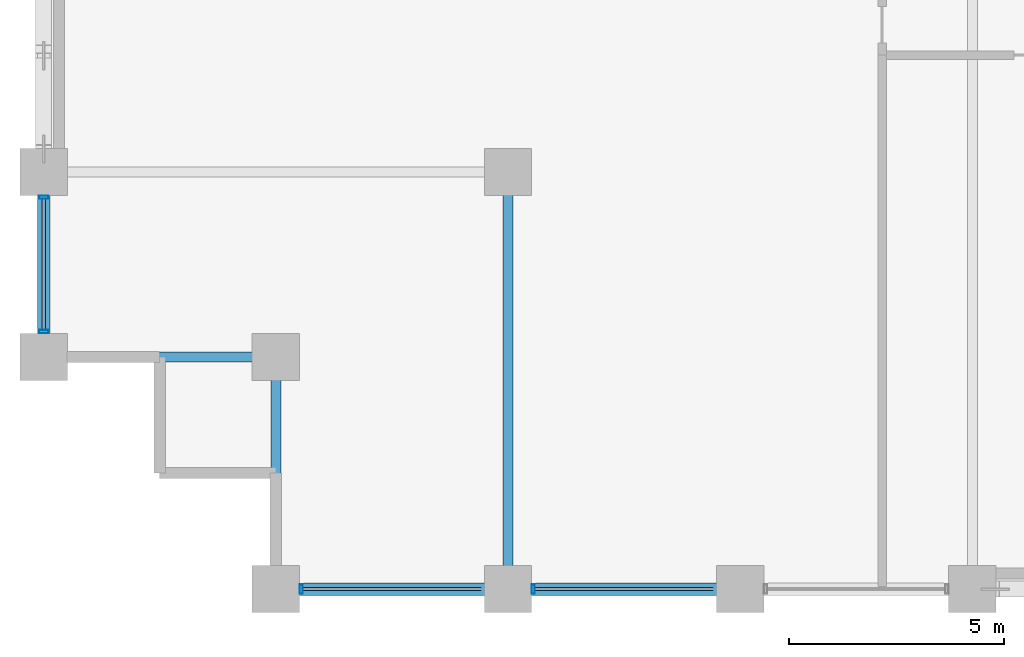
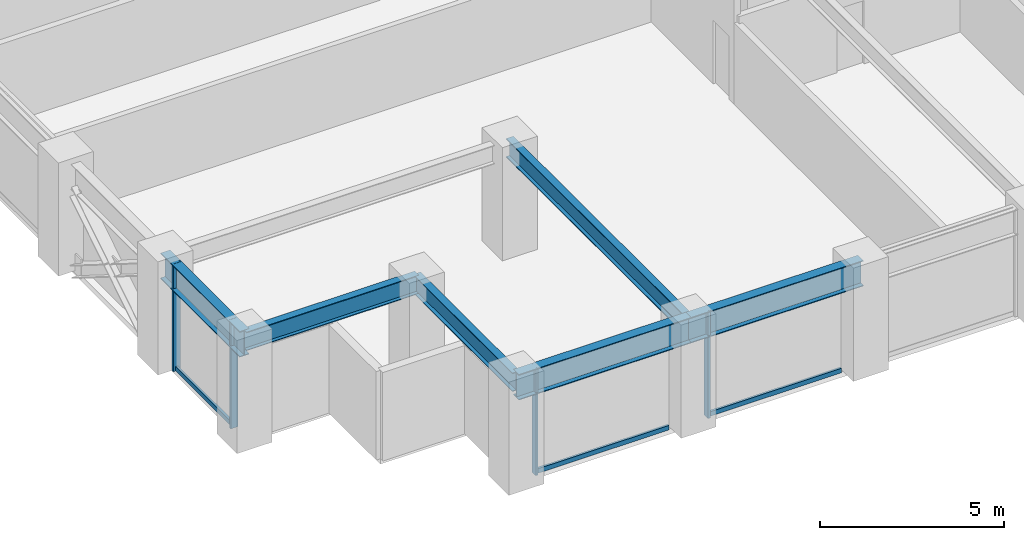
# One storey, part 2 of 25: 7 members, 6 beams, 2 elements without a shape of their own.
"""IFC4 building model written with IfcOpenShell, lengths in metres."""

from ifc_helpers import new_model, si_unit, direction, frame, origin, origin_2d, place, context, subcontext, project, spatial, hollow_rectangle, i_section, extrude, material, layer, layer_set, material_profile, profile_set, type_object, element, aggregate, save


model = new_model("IFC4")

# Units and contexts
model_context = context("Model", 3, precision=1e-05, world=origin(), true_north=direction((0.0, 1.0)))
body_context = subcontext(model_context, "Body", "Model", "MODEL_VIEW")
ifc_project = project(units=[si_unit("LENGTHUNIT", "METRE"), si_unit("AREAUNIT", "SQUARE_METRE"), si_unit("VOLUMEUNIT", "CUBIC_METRE"), si_unit("PLANEANGLEUNIT", "RADIAN"), si_unit("MASSUNIT", "GRAM", prefix="KILO")], contexts=[model_context])

# Site, building, storey
site_placement = place(None, origin())
site = spatial("IfcSite", under=ifc_project, at=site_placement, CompositionType="ELEMENT")
building_placement = place(site_placement, origin())
building = spatial("IfcBuilding", under=site, at=building_placement, Name="Surkhivell Harbour Commons", CompositionType="ELEMENT")
storey_placement = place(building_placement, frame((0.0, 0.0, 120.75)))
storey = spatial("IfcBuildingStorey", under=building, at=storey_placement, Name="L31", CompositionType="ELEMENT", Elevation=120.75)

# Beams
ifc_material_1 = material(Name="Steel S355", Category="steel")
ifc_material_profile_1 = material_profile(ifc_material_1, i_section(OverallWidth=0.22998046875, OverallDepth=0.616943359375, WebThickness=0.01318359375, FlangeThickness=0.022216796875, at=origin_2d()), Name="UB610x229x140")
ifc_profile_set_1 = profile_set([ifc_material_profile_1], Name="Steel S355")
beam_type_1 = type_object("IfcBeamType", Name="BM-GRD-610B", PredefinedType="BEAM", material=ifc_profile_set_1)
for number, where, z_axis, x_axis, name in (
    (1, (-32.39990234375, -20.5, 3.261474609375), (1.0, 0.0, 0.0), (0.0, 1.0, 0.0), "L31 Floor Girder (-32.4,-20.5)"),
    (2, (-27.0, -25.89990234375, 3.261474609375), (0.0, 1.0, 0.0), (-1.0, 0.0, 0.0), "L31 Floor Girder (-27.0,-25.9)"),
):
    element("IfcBeam", number, at=place(storey_placement, frame(where, z_axis=z_axis, x_axis=x_axis)), inside=storey, type_object=beam_type_1, Name=name, PredefinedType="BEAM", context=body_context, shape_type="SweptSolid", body=[
        extrude(i_section(OverallWidth=0.22998046875, OverallDepth=0.616943359375, WebThickness=0.01318359375, FlangeThickness=0.022216796875, at=origin_2d()), origin(), (0.0, 0.0, 1.0), 5.39990234375),
    ])
beam_1_placement = place(storey_placement, frame((-21.60009765625, -25.89990234375, 3.261474609375), z_axis=(0.0, 1.0, 0.0), x_axis=(-1.0, 0.0, 0.0)))
element("IfcBeam", 3, at=beam_1_placement, inside=storey, type_object=beam_type_1, Name="L31 Floor Girder (-21.6,-25.9)", PredefinedType="BEAM", context=body_context, shape_type="SweptSolid", body=[
    extrude(i_section(OverallWidth=0.22998046875, OverallDepth=0.616943359375, WebThickness=0.01318359375, FlangeThickness=0.022216796875, at=origin_2d()), origin(), (0.0, 0.0, 1.0), 9.699951171875),
])
ifc_material_2 = material(Name="Steel S460", Category="steel")
ifc_material_profile_2 = material_profile(ifc_material_2, i_section(OverallWidth=0.2939453125, OverallDepth=0.85107421875, WebThickness=0.01611328125, FlangeThickness=0.02685546875, at=origin_2d()), Name="UB838x292x226")
ifc_profile_set_2 = profile_set([ifc_material_profile_2], Name="Steel S460")
beam_type_2 = type_object("IfcBeamType", Name="BM-SPN-838", PredefinedType="SPANDREL", material=ifc_profile_set_2)
beam_2_placement = place(storey_placement, frame((-32.39990234375, -20.5, 3.14453125), z_axis=(0.0, 1.0, 0.0), x_axis=(-1.0, 0.0, 0.0)))
element("IfcBeam", 4, at=beam_2_placement, inside=storey, type_object=beam_type_2, Name="L31 Tube Spandrel (-32.4,-20.5)", PredefinedType="SPANDREL", context=body_context, shape_type="SweptSolid", body=[
    extrude(i_section(OverallWidth=0.2939453125, OverallDepth=0.85107421875, WebThickness=0.01611328125, FlangeThickness=0.02685546875, at=origin_2d()), origin(), (0.0, 0.0, 1.0), 4.300048828125),
])
beam_3_placement = place(storey_placement, frame((-27.0, -25.89990234375, 3.14453125), z_axis=(1.0, 0.0, 0.0), x_axis=(0.0, 1.0, 0.0)))
element("IfcBeam", 5, at=beam_3_placement, inside=storey, type_object=beam_type_2, Name="L31 Tube Spandrel (-27.0,-25.9)", PredefinedType="SPANDREL", context=body_context, shape_type="SweptSolid", body=[
    extrude(i_section(OverallWidth=0.2939453125, OverallDepth=0.85107421875, WebThickness=0.01611328125, FlangeThickness=0.02685546875, at=origin_2d()), origin(), (0.0, 0.0, 1.0), 5.39990234375),
])
beam_4_placement = place(storey_placement, frame((-21.60009765625, -25.89990234375, 3.14453125), z_axis=(1.0, 0.0, 0.0), x_axis=(0.0, 1.0, 0.0)))
element("IfcBeam", 6, at=beam_4_placement, inside=storey, type_object=beam_type_2, Name="L31 Tube Spandrel (-21.6,-25.9)", PredefinedType="SPANDREL", context=body_context, shape_type="SweptSolid", body=[
    extrude(i_section(OverallWidth=0.2939453125, OverallDepth=0.85107421875, WebThickness=0.01611328125, FlangeThickness=0.02685546875, at=origin_2d()), origin(), (0.0, 0.0, 1.0), 5.400146484375),
])

# Curtain wall, members
ifc_material_3 = material(Name="Anodised pale-metal aluminium and insulated glazing", Category="aluminium")
ifc_layer = layer(ifc_material_3, 0.205078125)
ifc_layer_set = layer_set([ifc_layer], Name="Anodised pale-metal aluminium and insulated glazing")
curtain_wall_type = type_object("IfcCurtainWallType", Name="CW-SYS-Z2", PredefinedType="NOTDEFINED", material=ifc_layer_set)
curtain_wall_1_placement = place(storey_placement, origin())
curtain_wall_1 = element("IfcCurtainWall", 7, at=curtain_wall_1_placement, inside=storey, type_object=curtain_wall_type, Name="L31 Curtain Wall CW-L31-E00S1", PredefinedType="NOTDEFINED")
ifc_material_4 = material(Name="Anodised pale-metal aluminium alloy 6063-T6", Category="aluminium")
ifc_material_profile_3 = material_profile(ifc_material_4, hollow_rectangle(XDim=0.074951171875, YDim=0.219970703125, WallThickness=0.00390625, at=origin_2d()), Name="ALU-MULL-75x220")
ifc_profile_set_3 = profile_set([ifc_material_profile_3], Name="Anodised pale-metal aluminium alloy 6063-T6")
member_type_1 = type_object("IfcMemberType", Name="CWM-220", PredefinedType="MULLION", material=ifc_profile_set_3)
member_1_placement = place(storey_placement, frame((-26.410400390625, -25.89990234375, 0.0), z_axis=(0.0, 0.0, 1.0), x_axis=(1.0, 0.0, 0.0)))
member_1 = element("IfcMember", 8, at=member_1_placement, type_object=member_type_1, Name="CW-Z2 mullion 1", PredefinedType="MULLION", context=body_context, shape_type="SweptSolid", body=[
    extrude(hollow_rectangle(XDim=0.074951171875, YDim=0.219970703125, WallThickness=0.00390625, at=origin_2d()), origin(), (0.0, 0.0, 1.0), 3.570068359375),
])
member_2_placement = place(storey_placement, frame((-21.010498046875, -25.89990234375, 0.0), z_axis=(0.0, 0.0, 1.0), x_axis=(1.0, 0.0, 0.0)))
member_2 = element("IfcMember", 9, at=member_2_placement, type_object=member_type_1, Name="CW-Z2 mullion 2", PredefinedType="MULLION", context=body_context, shape_type="SweptSolid", body=[
    extrude(hollow_rectangle(XDim=0.074951171875, YDim=0.219970703125, WallThickness=0.00390625, at=origin_2d()), origin(), (0.0, 0.0, 1.0), 3.570068359375),
])

curtain_wall_2_placement = place(storey_placement, origin())
curtain_wall_2 = element("IfcCurtainWall", 10, at=curtain_wall_2_placement, inside=storey, type_object=curtain_wall_type, Name="L31 Curtain Wall CW-L31-E12S2", PredefinedType="NOTDEFINED")
member_3_placement = place(storey_placement, frame((-32.39990234375, -16.78955078125, 0.0), z_axis=(0.0, 0.0, 1.0), x_axis=(0.0, -1.0, 0.0)))
member_3 = element("IfcMember", 11, at=member_3_placement, type_object=member_type_1, Name="CW-Z2 mullion 1", PredefinedType="MULLION", context=body_context, shape_type="SweptSolid", body=[
    extrude(hollow_rectangle(XDim=0.074951171875, YDim=0.219970703125, WallThickness=0.00390625, at=origin_2d()), origin(), (0.0, 0.0, 1.0), 3.570068359375),
])
member_4_placement = place(storey_placement, frame((-32.39990234375, -19.910400390625, 0.0), z_axis=(0.0, 0.0, 1.0), x_axis=(0.0, -1.0, 0.0)))
member_4 = element("IfcMember", 12, at=member_4_placement, type_object=member_type_1, Name="CW-Z2 mullion 2", PredefinedType="MULLION", context=body_context, shape_type="SweptSolid", body=[
    extrude(hollow_rectangle(XDim=0.074951171875, YDim=0.219970703125, WallThickness=0.00390625, at=origin_2d()), origin(), (0.0, 0.0, 1.0), 3.570068359375),
])

# Member
ifc_material_profile_4 = material_profile(ifc_material_4, hollow_rectangle(XDim=0.074951171875, YDim=0.14990234375, WallThickness=0.00341796875, at=origin_2d()), Name="ALU-TRAN-75x150")
ifc_profile_set_4 = profile_set([ifc_material_profile_4], Name="Anodised pale-metal aluminium alloy 6063-T6")
member_type_2 = type_object("IfcMemberType", Name="CWT-150", PredefinedType="USERDEFINED", material=ifc_profile_set_4)
member_5_placement = place(storey_placement, frame((-26.373046875, -25.89990234375, 0.074951171875), z_axis=(1.0, 0.0, 0.0), x_axis=(0.0, 1.0, 0.0)))
member_5 = element("IfcMember", 13, at=member_5_placement, type_object=member_type_2, Name="CW-Z2 transom 1.1", ObjectType="TRANSOM", PredefinedType="USERDEFINED", context=body_context, shape_type="SweptSolid", body=[
    extrude(hollow_rectangle(XDim=0.074951171875, YDim=0.14990234375, WallThickness=0.00341796875, at=origin_2d()), origin(), (0.0, 0.0, 1.0), 4.14599609375),
])

member_6_placement = place(storey_placement, frame((-20.972900390625, -25.89990234375, 0.074951171875), z_axis=(1.0, 0.0, 0.0), x_axis=(0.0, 1.0, 0.0)))
member_6 = element("IfcMember", 14, at=member_6_placement, type_object=member_type_2, Name="CW-Z2 transom 2.1", ObjectType="TRANSOM", PredefinedType="USERDEFINED", context=body_context, shape_type="SweptSolid", body=[
    extrude(hollow_rectangle(XDim=0.074951171875, YDim=0.14990234375, WallThickness=0.00341796875, at=origin_2d()), origin(), (0.0, 0.0, 1.0), 4.14599609375),
])

aggregate(curtain_wall_1, [member_1, member_5, member_2, member_6])

member_7_placement = place(storey_placement, frame((-32.39990234375, -16.826904296875, 0.074951171875), z_axis=(0.0, -1.0, 0.0), x_axis=(1.0, 0.0, 0.0)))
member_7 = element("IfcMember", 15, at=member_7_placement, type_object=member_type_2, Name="CW-Z2 transom 1.1", ObjectType="TRANSOM", PredefinedType="USERDEFINED", context=body_context, shape_type="SweptSolid", body=[
    extrude(hollow_rectangle(XDim=0.074951171875, YDim=0.14990234375, WallThickness=0.00341796875, at=origin_2d()), origin(), (0.0, 0.0, 1.0), 3.046142578125),
])

aggregate(curtain_wall_2, [member_3, member_4, member_7])

save(model, "model.ifc")
